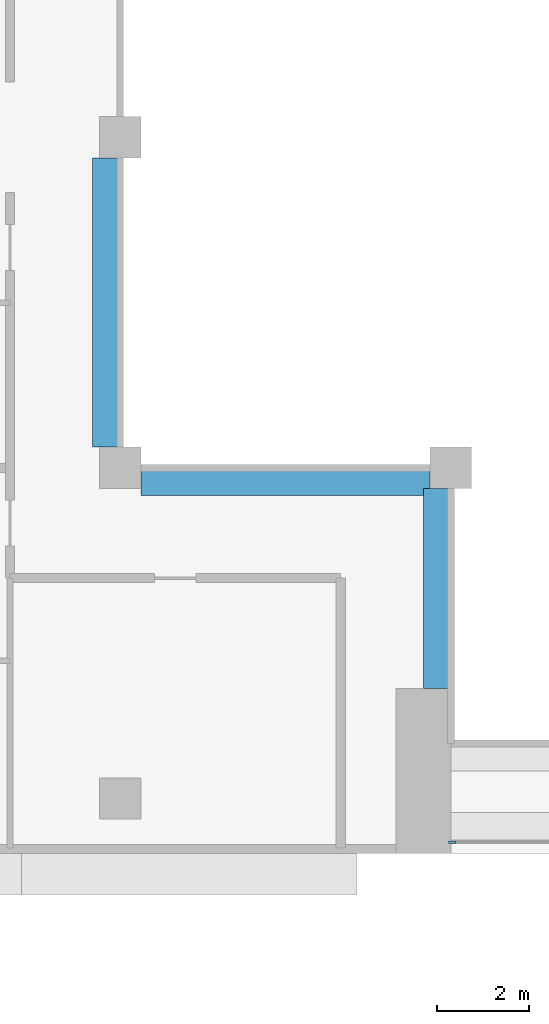
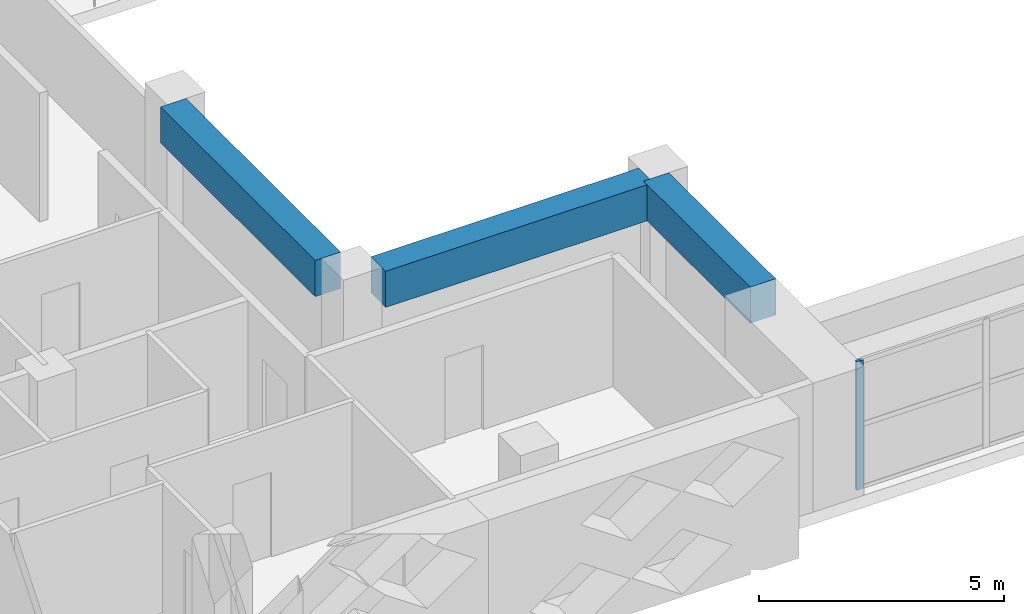
# One storey, part 2 of 20: 3 beams, 1 member, 1 element without a shape of its own.
"""IFC4 building model written with IfcOpenShell, lengths in metres."""

from ifc_helpers import new_model, si_unit, direction, frame, origin, origin_2d, place, context, subcontext, project, spatial, rectangle, extrude, source, transform, mapped, material, layer, layer_set, material_profile, profile_set, type_object, element, aggregate, save


model = new_model("IFC4")

# Units and contexts
model_context = context("Model", 3, precision=1e-05, world=origin(), true_north=direction((0.0, 1.0)))
body_context = subcontext(model_context, "Body", "Model", "MODEL_VIEW")
ifc_project = project(units=[si_unit("LENGTHUNIT", "METRE"), si_unit("AREAUNIT", "SQUARE_METRE"), si_unit("VOLUMEUNIT", "CUBIC_METRE"), si_unit("PLANEANGLEUNIT", "RADIAN"), si_unit("MASSUNIT", "GRAM", prefix="KILO")], contexts=[model_context])

# Site, building, storey
site_placement = place(None, origin())
site = spatial("IfcSite", under=ifc_project, at=site_placement, CompositionType="ELEMENT")
building_placement = place(site_placement, origin())
building = spatial("IfcBuilding", under=site, at=building_placement, Name="Saffron Iwan Residences", CompositionType="ELEMENT")
storey_placement = place(building_placement, frame((0.0, 0.0, 192.0)))
storey = spatial("IfcBuildingStorey", under=building, at=storey_placement, Name="L51", CompositionType="ELEMENT", Elevation=192.0)

# Beams
ifc_material_1 = material(Name="Concrete C50/60", Category="concrete")
ifc_material_profile_1 = material_profile(ifc_material_1, rectangle(XDim=0.60009765625, YDim=0.89990234375, at=origin_2d()), Name="RC 600x900")
ifc_profile_set_1 = profile_set([ifc_material_profile_1], Name="Concrete C50/60")
beam_type = type_object("IfcBeamType", Name="BEAM RC 600x900 C50/60 TOP 3200", PredefinedType="BEAM", material=ifc_profile_set_1)
shared_shape_1 = source(origin(), body_context, "Body", "SweptSolid", [
    extrude(rectangle(XDim=0.60009765625, YDim=0.89990234375, at=origin_2d()), origin(), (0.0, 0.0, 1.0), 4.35009765625),
])
beam_placement = place(storey_placement, frame((42.89990234375, 43.199951171875, 2.75), z_axis=(0.0, 1.0, 0.0), x_axis=(-1.0, 0.0, 0.0)))
element("IfcBeam", 1, at=beam_placement, inside=storey, type_object=beam_type, Name="Atrium edge beam", PredefinedType="BEAM", context=body_context, shape_type="MappedRepresentation", body=[
    mapped(shared_shape_1, transform((0.0, 0.0, 0.0))),
])
shared_shape_2 = source(origin(), body_context, "Body", "SweptSolid", [
    extrude(rectangle(XDim=0.60009765625, YDim=0.89990234375, at=origin_2d()), origin(), (0.0, 0.0, 1.0), 6.300048828125),
])
for number, where, z_axis, x_axis, name in (
    (2, (42.75, 47.699951171875, 2.75), (-1.0, 0.0, 0.0), (0.0, -1.0, 0.0), "Atrium edge beam"),
    (3, (35.699951171875, 48.449951171875, 2.75), (0.0, 1.0, 0.0), (-1.0, 0.0, 0.0), "Atrium edge beam"),
):
    element("IfcBeam", number, at=place(storey_placement, frame(where, z_axis=z_axis, x_axis=x_axis)), inside=storey, type_object=beam_type, Name=name, PredefinedType="BEAM", context=body_context, shape_type="MappedRepresentation", body=[
        mapped(shared_shape_2, transform((0.0, 0.0, 0.0))),
    ])

# Curtain wall, member
ifc_material_2 = material(Name="Clear glass, laminated double glazed", Category="glass")
ifc_layer = layer(ifc_material_2, 0.199951171875)
ifc_layer_set = layer_set([ifc_layer], Name="Clear glass, laminated double glazed")
curtain_wall_type = type_object("IfcCurtainWallType", Name="CW-B IWAN PORTAL", PredefinedType="NOTDEFINED", material=ifc_layer_set)
curtain_wall_placement = place(storey_placement, origin())
curtain_wall = element("IfcCurtainWall", 4, at=curtain_wall_placement, inside=storey, type_object=curtain_wall_type, Name="Iwan portal glazing L51.1", PredefinedType="NOTDEFINED")
ifc_material_3 = material(Name="Aluminium 6063-T6", Category="aluminium")
ifc_material_profile_2 = material_profile(ifc_material_3, rectangle(XDim=0.06005859375, YDim=0.159912109375, at=origin_2d()), Name="CW-B MULLION 60 x 160")
ifc_profile_set_2 = profile_set([ifc_material_profile_2], Name="Aluminium 6063-T6")
member_type = type_object("IfcMemberType", Name="CW-B MULLION 60 x 160", PredefinedType="MULLION", material=ifc_profile_set_2)
shared_shape_3 = source(origin(), body_context, "Body", "SweptSolid", [
    extrude(rectangle(XDim=0.06005859375, YDim=0.159912109375, at=origin_2d()), origin(), (0.0, 0.0, 1.0), 3.199951171875),
])
member_placement = place(storey_placement, frame((43.22998046875, 39.85009765625, 0.0), z_axis=(0.0, 0.0, 1.0), x_axis=(0.0, 1.0, 0.0)))
member = element("IfcMember", 5, at=member_placement, type_object=member_type, Name="CW-B mullion 1", PredefinedType="MULLION", context=body_context, shape_type="MappedRepresentation", body=[
    mapped(shared_shape_3, transform((0.0, 0.0, 0.0))),
])
aggregate(curtain_wall, [member])

save(model, "model.ifc")
